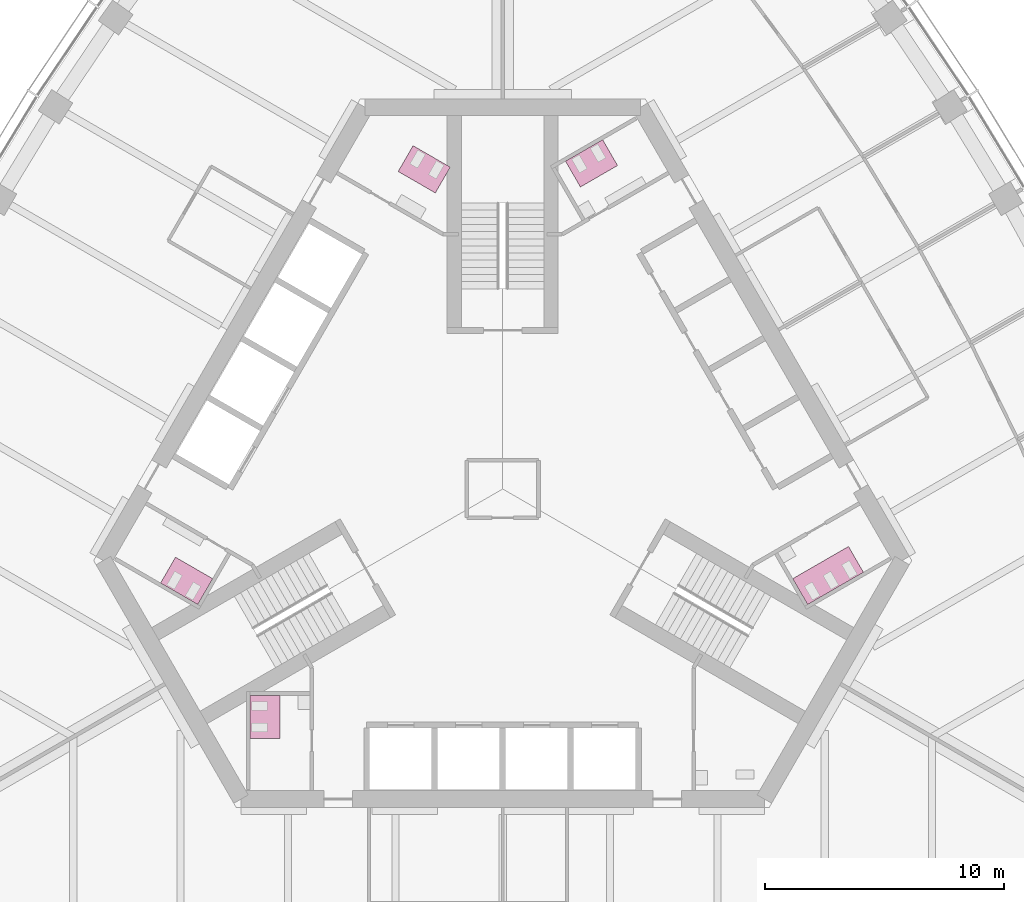
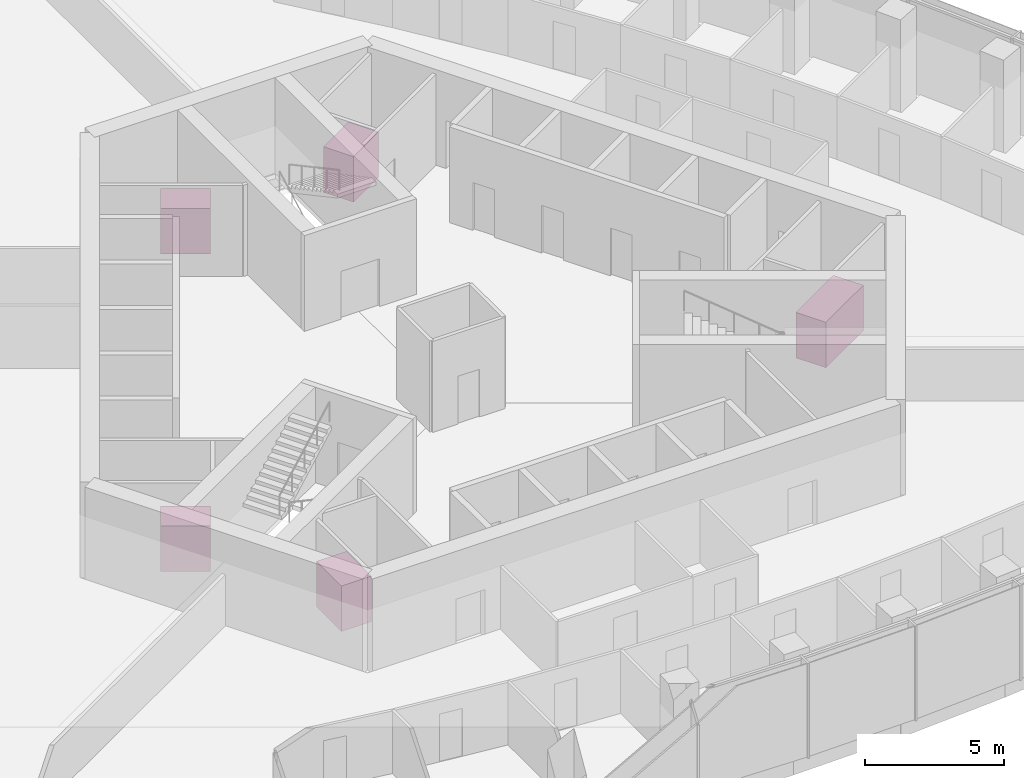
# One storey, part 19 of 19: 5 furniture elements.
"""IFC4 building model written with IfcOpenShell, lengths in metres."""

import ifcopenshell
import ifcopenshell.guid

model = None  # the IFC model being written
_history = None  # IfcOwnerHistory: only IFC2X3 demands one
_inside = {}  # id of a spatial element -> (the spatial element, [elements in it])
_under = {}  # id of a project, library or spatial element -> (it, [spatial elements below it])
_declared = {}  # id of a project -> (the project, [libraries it declares])
_typed = {}  # id of a type object -> (the type object, [elements of that type])
_made_of = {}  # id of a material, layer set ... -> (it, [elements and type objects made of it])


def new_model(schema):
    """Start an empty IFC model of exactly this schema.

    Asked for "IFC4X3", IfcOpenShell would pick the latest addendum, in which some entities
    have other attributes; the version numbers below select the first issue.
    IFC2X3 requires an IfcOwnerHistory on every rooted entity: one is made here for all.
    """
    global model, _history
    if schema == "IFC4X3":
        model = ifcopenshell.file(schema_version=(4, 3, 0, 0))
    else:
        model = ifcopenshell.file(schema=schema)
    _inside.clear()
    _under.clear()
    _declared.clear()
    _typed.clear()
    _made_of.clear()
    _history = None
    if model.schema == "IFC2X3":
        org = make("IfcOrganization", Name="unknown")
        user = make(
            "IfcPersonAndOrganization",
            ThePerson=make("IfcPerson", FamilyName="unknown"),
            TheOrganization=org,
        )
        app = make(
            "IfcApplication",
            ApplicationDeveloper=org,
            Version="unknown",
            ApplicationFullName="unknown",
            ApplicationIdentifier="unknown",
        )
        _history = make(
            "IfcOwnerHistory",
            OwningUser=user,
            OwningApplication=app,
            ChangeAction="ADDED",
            CreationDate=0,
        )
    return model


def make(cls, **values):
    """One entity of the class cls with the attributes given. An attribute that is None is left unset."""
    return model.create_entity(
        cls, **{name: value for name, value in values.items() if value is not None}
    )


def rooted(cls, **values):
    """An entity with a GlobalId (a new one), such as an element, a storey or a relation."""
    return make(cls, GlobalId=ifcopenshell.guid.new(), OwnerHistory=_history, **values)


def si_unit(unit_type, name, prefix=None):
    """IfcSIUnit, for example si_unit("LENGTHUNIT", "METRE", prefix="MILLI")."""
    return make("IfcSIUnit", UnitType=unit_type, Prefix=prefix, Name=name)


def assignment(units):
    """IfcUnitAssignment: the units of a project."""
    return None if units is None else make("IfcUnitAssignment", Units=units)


def point(xyz):
    """IfcCartesianPoint."""
    return None if xyz is None else make("IfcCartesianPoint", Coordinates=xyz)


def direction(xyz):
    """IfcDirection."""
    return None if xyz is None else make("IfcDirection", DirectionRatios=xyz)


def frame(location, z_axis=None, x_axis=None):
    """IfcAxis2Placement3D, a coordinate frame: its origin and axes. An axis left out is left unset."""
    return make(
        "IfcAxis2Placement3D",
        Location=point(location),
        Axis=direction(z_axis),
        RefDirection=direction(x_axis),
    )


def origin():
    """The frame at (0, 0, 0) with its axes left unset."""
    return frame((0.0, 0.0, 0.0))


def place(relative_to, where):
    """IfcLocalPlacement: puts the frame where relative to a parent placement (None: the world)."""
    return make(
        "IfcLocalPlacement", PlacementRelTo=relative_to, RelativePlacement=where
    )


def context(
    kind, dimensions, precision=None, world=None, true_north=None, identifier=None
):
    """IfcGeometricRepresentationContext, for example the 3D "Model" context."""
    return make(
        "IfcGeometricRepresentationContext",
        ContextIdentifier=identifier,
        ContextType=kind,
        CoordinateSpaceDimension=dimensions,
        Precision=precision,
        WorldCoordinateSystem=world,
        TrueNorth=true_north,
    )


def subcontext(parent, identifier, kind, view, scale=None):
    """IfcGeometricRepresentationSubContext, for example "Body" below "Model"."""
    return make(
        "IfcGeometricRepresentationSubContext",
        ContextIdentifier=identifier,
        ContextType=kind,
        ParentContext=parent,
        TargetScale=scale,
        TargetView=view,
    )


def project(units=None, contexts=None):
    """IfcProject with its units and contexts."""
    return rooted(
        "IfcProject",
        Name="project",
        RepresentationContexts=contexts,
        UnitsInContext=assignment(units),
    )


def spatial(cls, under=None, at=None, **own):
    """A site, building, storey or space (cls), placed at a placement, below another one or the project."""
    s = rooted(cls, ObjectPlacement=at, **own)
    if under is not None:
        _under.setdefault(under.id(), (under, []))[1].append(s)
    return s


def polyline(points):
    """IfcPolyline through the points."""
    return make("IfcPolyline", Points=[point(p) for p in points])


def outline(outer, holes=None, kind="AREA"):
    """IfcArbitraryClosedProfileDef: a profile drawn as a closed curve; with holes, ...WithVoids."""
    if holes is None:
        return make("IfcArbitraryClosedProfileDef", ProfileType=kind, OuterCurve=outer)
    return make(
        "IfcArbitraryProfileDefWithVoids",
        ProfileType=kind,
        OuterCurve=outer,
        InnerCurves=holes,
    )


def extrude(swept, where, along, depth):
    """IfcExtrudedAreaSolid: the profile swept, set in the frame where, extruded along a direction by depth."""
    return make(
        "IfcExtrudedAreaSolid",
        SweptArea=swept,
        Position=where,
        ExtrudedDirection=direction(along),
        Depth=depth,
    )


def shape(context_of_items, identifier, shape_type, items):
    """IfcShapeRepresentation: the items that make up one representation, for example the "Body"."""
    return make(
        "IfcShapeRepresentation",
        ContextOfItems=context_of_items,
        RepresentationIdentifier=identifier,
        RepresentationType=shape_type,
        Items=items,
    )


def material(Name=None, Category=None):
    """IfcMaterial."""
    return make("IfcMaterial", Name=Name, Category=Category)


def made_of(thing, what):
    """Note that an element or type object is made of a material, layer set ...; save() writes the relation."""
    if what is not None:
        _made_of.setdefault(what.id(), (what, []))[1].append(thing)
    return thing


def type_object(cls, material=None, **own):
    """A type object (cls), such as IfcWallType, which elements share."""
    return made_of(rooted(cls, **own), material)


def element(
    cls,
    number,
    at=None,
    inside=None,
    cuts=None,
    type_object=None,
    material=None,
    context=None,
    identifier="Body",
    shape_type=None,
    held_by="IfcProductDefinitionShape",
    body=None,
    shapes=None,
    **own,
):
    """One element of the class cls, such as IfcWall. Its Tag is "e" and its number.

    at: its placement. inside: the storey or other place that contains it. cuts: it is an
    opening in that element (IfcRelVoidsElement). A single representation is given by context,
    identifier, shape_type and body (its items); several are given by shapes. held_by: the class
    of the entity that holds the representations. save() writes the other relations.
    """
    e = rooted(cls, Tag="e%d" % number, ObjectPlacement=at, **own)
    if body is not None:
        shapes = [shape(context, identifier, shape_type, body)]
    if shapes is not None:
        e.Representation = make(held_by, Representations=shapes)
    if inside is not None:
        _inside.setdefault(inside.id(), (inside, []))[1].append(e)
    if cuts is not None:
        rooted(
            "IfcRelVoidsElement", RelatingBuildingElement=cuts, RelatedOpeningElement=e
        )
    if type_object is not None:
        _typed.setdefault(type_object.id(), (type_object, []))[1].append(e)
    return made_of(e, material)


def aggregate(whole, parts):
    """IfcRelAggregates: a whole, such as a stair, and the parts it consists of."""
    return rooted("IfcRelAggregates", RelatingObject=whole, RelatedObjects=parts)


def save(model, path):
    """Write the relations noted so far, then the file.

    IfcRelAggregates (storeys below a building ...), IfcRelContainedInSpatialStructure (elements
    in a storey), IfcRelDefinesByType, IfcRelAssociatesMaterial and IfcRelDeclares: one each for
    every whole, place, type object, material and project.
    """
    for whole, parts in _under.values():
        aggregate(whole, parts)
    for where, things in _inside.values():
        rooted(
            "IfcRelContainedInSpatialStructure",
            RelatedElements=things,
            RelatingStructure=where,
        )
    for kind, things in _typed.values():
        rooted("IfcRelDefinesByType", RelatedObjects=things, RelatingType=kind)
    for what, things in _made_of.values():
        rooted("IfcRelAssociatesMaterial", RelatedObjects=things, RelatingMaterial=what)
    for by, libraries in _declared.values():
        rooted("IfcRelDeclares", RelatingContext=by, RelatedDefinitions=libraries)
    model.write(path)


model = new_model("IFC4")

# Units and contexts
model_context = context("Model", 3, precision=1e-05, world=origin(), true_north=direction((0.0, 1.0)))
body_context = subcontext(model_context, "Body", "Model", "MODEL_VIEW")
ifc_project = project(units=[si_unit("LENGTHUNIT", "METRE"), si_unit("AREAUNIT", "SQUARE_METRE"), si_unit("VOLUMEUNIT", "CUBIC_METRE"), si_unit("PLANEANGLEUNIT", "RADIAN"), si_unit("MASSUNIT", "GRAM", prefix="KILO")], contexts=[model_context])

# Site, building, storey
site_placement = place(None, origin())
site = spatial("IfcSite", under=ifc_project, at=site_placement, CompositionType="ELEMENT")
building_placement = place(site_placement, origin())
building = spatial("IfcBuilding", under=site, at=building_placement, Name="Trefoil Bronze Tower", CompositionType="ELEMENT")
storey_placement = place(building_placement, frame((0.0, 0.0, 235.89990234375)))
storey = spatial("IfcBuildingStorey", under=building, at=storey_placement, Name="L54", CompositionType="ELEMENT", Elevation=235.89990234375)

# Furniture
ifc_material_1 = material(Name="Compact laminate cubicles", Category="plastic")
furniture_type_1 = type_object("IfcFurnitureType", Name="WC cubicle range 2 cubicles", AssemblyPlace="FACTORY", PredefinedType="USERDEFINED", material=ifc_material_1)
furniture_1_placement = place(storey_placement, origin())
element("IfcFurniture", 1, at=furniture_1_placement, inside=storey, type_object=furniture_type_1, Name="WC cubicle range WC (men) L54", ObjectType="WC cubicle range", PredefinedType="USERDEFINED", context=body_context, shape_type="SweptSolid", body=[
    extrude(outline(polyline([(3.256591796875, 12.659423828125), (2.631591796875, 13.741943359375), (4.1904296875, 14.641845703125), (4.8154296875, 13.559326171875), (3.256591796875, 12.659423828125)])), origin(), (0.0, 0.0, 1.0), 2.0),
])
furniture_2_placement = place(storey_placement, origin())
element("IfcFurniture", 2, at=furniture_2_placement, inside=storey, type_object=furniture_type_1, Name="WC cubicle range WC (women) L54", ObjectType="WC cubicle range", PredefinedType="USERDEFINED", context=body_context, shape_type="SweptSolid", body=[
    extrude(outline(polyline([(-2.82373046875, 12.409423828125), (-2.19873046875, 13.491943359375), (-3.757568359375, 14.391845703125), (-4.382568359375, 13.309326171875), (-2.82373046875, 12.409423828125)])), origin(), (0.0, 0.0, 1.0), 2.0),
])
furniture_3_placement = place(storey_placement, origin())
element("IfcFurniture", 3, at=furniture_3_placement, inside=storey, type_object=furniture_type_1, Name="WC cubicle range WC (men) L54", ObjectType="WC cubicle range", PredefinedType="USERDEFINED", context=body_context, shape_type="SweptSolid", body=[
    extrude(outline(polyline([(-12.15869140625, -3.75927734375), (-12.78369140625, -4.841796875), (-14.342529296875, -3.94189453125), (-13.717529296875, -2.859375), (-12.15869140625, -3.75927734375)])), origin(), (0.0, 0.0, 1.0), 2.0),
])
furniture_4_placement = place(storey_placement, origin())
element("IfcFurniture", 4, at=furniture_4_placement, inside=storey, type_object=furniture_type_1, Name="WC cubicle range WC (women) L54", ObjectType="WC cubicle range", PredefinedType="USERDEFINED", context=body_context, shape_type="SweptSolid", body=[
    extrude(outline(polyline([(-9.3349609375, -8.64990234375), (-10.5849609375, -8.64990234375), (-10.5849609375, -10.449951171875), (-9.3349609375, -10.449951171875), (-9.3349609375, -8.64990234375)])), origin(), (0.0, 0.0, 1.0), 2.0),
])
ifc_material_2 = material(Name="Compact laminate cubicles", Category="plastic")
furniture_type_2 = type_object("IfcFurnitureType", Name="WC cubicle range 3 cubicles", AssemblyPlace="FACTORY", PredefinedType="USERDEFINED", material=ifc_material_2)
furniture_5_placement = place(storey_placement, origin())
element("IfcFurniture", 5, at=furniture_5_placement, inside=storey, type_object=furniture_type_2, Name="WC cubicle range WC (women) L54", ObjectType="WC cubicle range", PredefinedType="USERDEFINED", context=body_context, shape_type="SweptSolid", body=[
    extrude(outline(polyline([(12.15869140625, -3.75927734375), (12.78369140625, -4.841796875), (15.121826171875, -3.491943359375), (14.496826171875, -2.409423828125), (12.15869140625, -3.75927734375)])), origin(), (0.0, 0.0, 1.0), 2.0),
])

save(model, "model.ifc")
